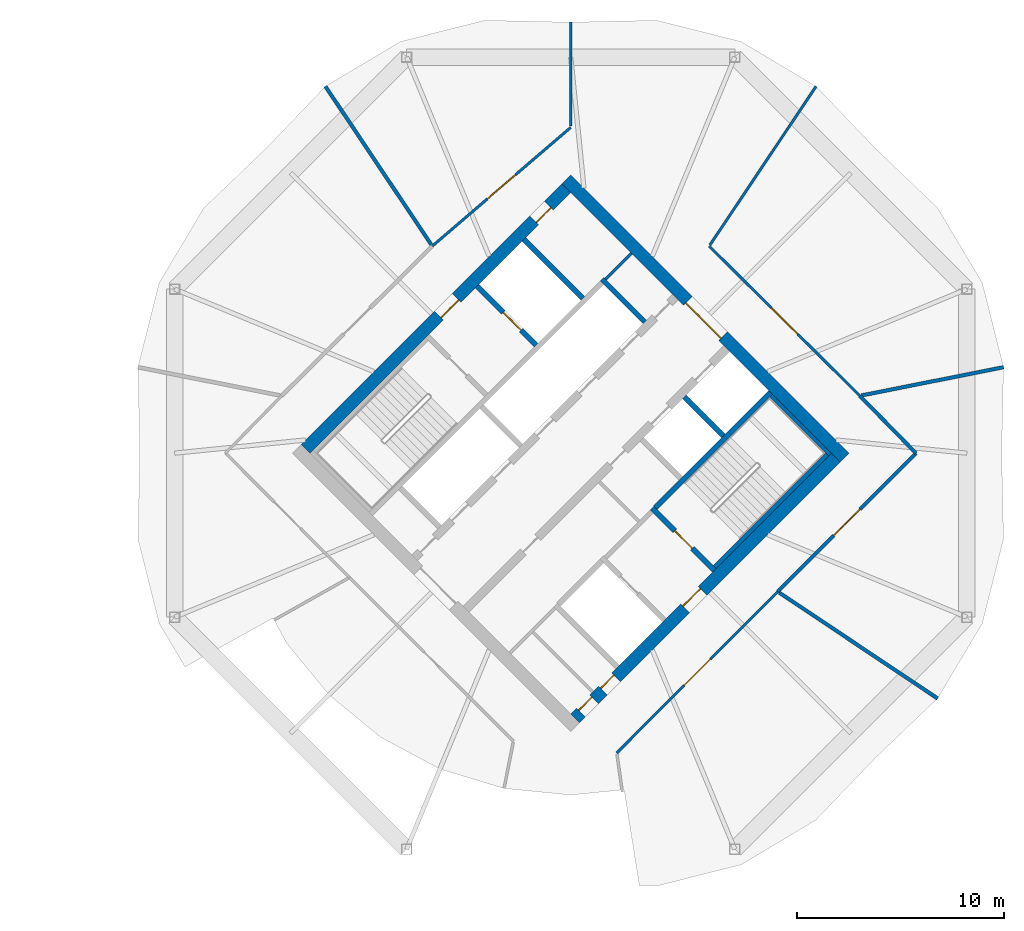
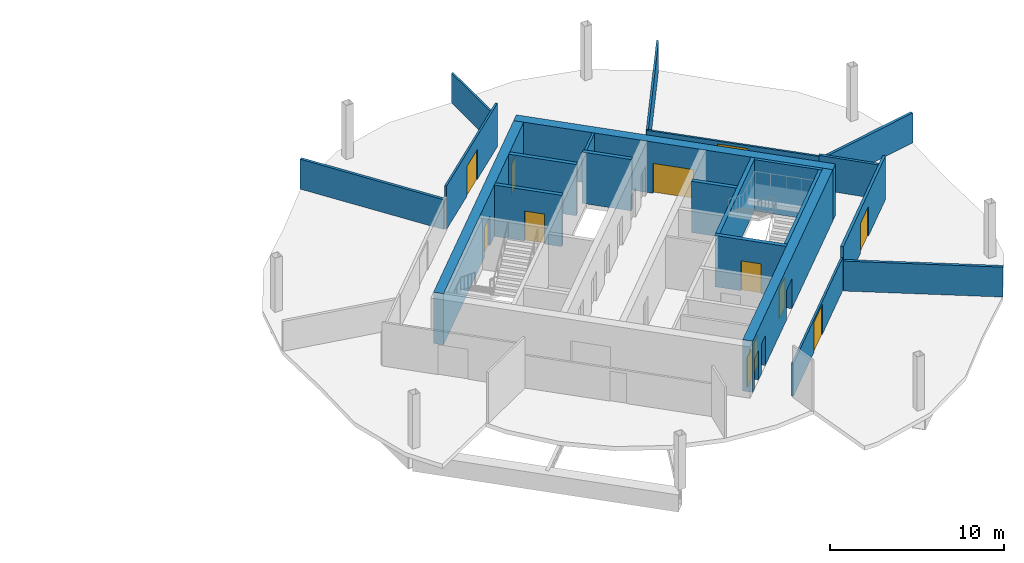
# One storey, part 8 of 10: 22 walls, 12 doors, 12 openings.
"""IFC4 building model written with IfcOpenShell, lengths in metres."""

from ifc_helpers import new_model, si_unit, direction, frame, frame_2d, origin, place, context, subcontext, project, spatial, rectangle, extrude, material, layer, layer_set, type_object, element, fill, save


model = new_model("IFC4")

# Units and contexts
model_context = context("Model", 3, precision=1e-05, world=origin(), true_north=direction((0.0, 1.0)))
body_context = subcontext(model_context, "Body", "Model", "MODEL_VIEW")
ifc_project = project(units=[si_unit("LENGTHUNIT", "METRE"), si_unit("AREAUNIT", "SQUARE_METRE"), si_unit("VOLUMEUNIT", "CUBIC_METRE"), si_unit("PLANEANGLEUNIT", "RADIAN"), si_unit("MASSUNIT", "GRAM", prefix="KILO")], contexts=[model_context])

# Site, building, storey
site_placement = place(None, origin())
site = spatial("IfcSite", under=ifc_project, at=site_placement, CompositionType="ELEMENT")
building_placement = place(site_placement, origin())
building = spatial("IfcBuilding", under=site, at=building_placement, Name="Ogive Gate Towers", CompositionType="ELEMENT")
storey_placement = place(building_placement, frame((0.0, 0.0, 212.39990234375)))
storey = spatial("IfcBuildingStorey", under=building, at=storey_placement, Name="L51", CompositionType="ELEMENT", Elevation=212.39990234375)

# Walls
ifc_material_1 = material(Name="Gypsum board acoustic partition")
ifc_layer_1 = layer(ifc_material_1, 0.175048828125)
ifc_layer_set_1 = layer_set([ifc_layer_1], Name="Acoustic partition 175")
wall_type_1 = type_object("IfcWallType", Name="Acoustic partition 175", PredefinedType="PARTITIONING", material=ifc_layer_set_1)
wall_1_placement = place(storey_placement, frame((56.891845703125, 4.147216796875, 0.0), z_axis=(0.0, 0.0, 1.0), x_axis=(-0.980860372201, -0.194712429613, 0.0)))
element("IfcWall", 1, at=wall_1_placement, inside=storey, type_object=wall_type_1, Name="Partition T2-L51-001", PredefinedType="PARTITIONING", context=body_context, shape_type="SweptSolid", body=[
    extrude(rectangle(XDim=6.991455078125, YDim=0.175048828125, at=frame_2d((3.49560546875, 0.0))), origin(), (0.0, 0.0, 1.0), 2.10009765625),
])
for number, where, z_axis, x_axis, name in (
    (2, (24.15966796875, 17.705078125, 0.0), (0.0, 0.0, 1.0), (0.555907142005, -0.831244398157, 0.0), "Partition T2-L51-004"),
    (3, (53.705078125, -11.84033203125, 0.0), (0.0, 0.0, 1.0), (-0.831244398157, 0.555907142005, 0.0), "Partition T2-L51-009"),
):
    element("IfcWall", number, at=place(storey_placement, frame(where, z_axis=z_axis, x_axis=x_axis)), inside=storey, type_object=wall_type_1, Name=name, PredefinedType="PARTITIONING", context=body_context, shape_type="SweptSolid", body=[
        extrude(rectangle(XDim=9.19140625, YDim=0.175048828125, at=frame_2d((4.595703125, 0.0))), origin(), (0.0, 0.0, 1.0), 2.10009765625),
    ])

# Wall, opening, door
wall_2_placement = place(storey_placement, frame((52.659423828125, 0.0, 0.0), z_axis=(0.0, 0.0, 1.0), x_axis=(-0.70631749194, -0.707895190391, 0.0)))
wall_2 = element("IfcWall", 4, at=wall_2_placement, inside=storey, type_object=wall_type_1, Name="Partition T2-L51-016", PredefinedType="PARTITIONING", context=body_context, shape_type="SweptSolid", body=[
    extrude(rectangle(XDim=9.439453125, YDim=0.175048828125, at=frame_2d((4.7197265625, 0.0))), origin(), (0.0, 0.0, 1.0), 3.050048828125),
])
opening_1_placement = place(wall_2_placement, frame((3.820068359375, 0.0, 0.0)))
opening_1 = element("IfcOpeningElement", 5, at=opening_1_placement, cuts=wall_2, Name="Opening T2-L51-D06", PredefinedType="OPENING", context=body_context, shape_type="SweptSolid", body=[
    extrude(rectangle(XDim=1.800048828125, YDim=2.10009765625, at=frame_2d((0.89990234375, 1.050048828125))), frame((0.0, 0.09765625, 0.0), z_axis=(0.0, -1.0, 0.0), x_axis=(1.0, 0.0, 0.0)), (0.0, 0.0, 1.0), 0.195068359375),
])
ifc_material_2 = material(Name="Timber door", Category="wood")
door_type_1 = type_object("IfcDoorType", Name="Door pair 1800", OperationType="NOTDEFINED", PredefinedType="DOOR", material=ifc_material_2)
door_1_placement = place(opening_1_placement, origin())
door_1 = element("IfcDoor", 6, at=door_1_placement, inside=storey, type_object=door_type_1, Name="Door T2-L51-D06", OperationType="DOUBLE_DOOR_DOUBLE_SWING", OverallHeight=2.10009765625, OverallWidth=1.800048828125, PredefinedType="DOOR", context=body_context, shape_type="SweptSolid", body=[
    extrude(rectangle(XDim=1.800048828125, YDim=2.10009765625, at=frame_2d((0.89990234375, 1.050048828125))), frame((0.0, 0.02490234375, 0.0), z_axis=(0.0, -1.0, 0.0), x_axis=(1.0, 0.0, 0.0)), (0.0, 0.0, 1.0), 0.050048828125),
])
fill(opening_1, door_1)

# Wall
wall_3_placement = place(storey_placement, frame((49.948486328125, 2.768798828125, 0.0), z_axis=(0.0, 0.0, 1.0), x_axis=(0.699601338328, -0.714533391389, 0.0)))
element("IfcWall", 7, at=wall_3_placement, inside=storey, type_object=wall_type_1, Name="Partition T2-L51-017", PredefinedType="PARTITIONING", context=body_context, shape_type="SweptSolid", body=[
    extrude(rectangle(XDim=3.875, YDim=0.175048828125, at=frame_2d((1.9375, 0.0))), origin(), (0.0, 0.0, 1.0), 2.400146484375),
])

# Wall, openings, doors
ifc_material_3 = material(Name="Concrete C60/75", Category="concrete")
ifc_layer_2 = layer(ifc_material_3, 0.60009765625)
ifc_layer_set_2 = layer_set([ifc_layer_2], Name="Core wall 600 mm")
wall_type_2 = type_object("IfcWallType", Name="Core wall 600 mm", PredefinedType="SHEAR", material=ifc_layer_set_2)
wall_4_placement = place(storey_placement, frame((36.212158203125, -12.798583984375, 0.0), z_axis=(0.0, 0.0, 1.0), x_axis=(0.707106781187, 0.707106781187, 0.0)))
wall_4 = element("IfcWall", 8, at=wall_4_placement, inside=storey, type_object=wall_type_2, Name="T2 L51 Core wall 600 mm", PredefinedType="SHEAR", context=body_context, shape_type="SweptSolid", body=[
    extrude(rectangle(XDim=17.7998046875, YDim=0.60009765625, at=frame_2d((8.89990234375, 0.0))), origin(), (0.0, 0.0, 1.0), 3.60009765625),
])
opening_2_placement = place(wall_4_placement, frame((7.5, 0.0, 0.0)))
opening_2 = element("IfcOpeningElement", 9, at=opening_2_placement, cuts=wall_4, Name="Opening KD-T2-L51-19", PredefinedType="OPENING", context=body_context, shape_type="SweptSolid", body=[
    extrude(rectangle(XDim=1.199951171875, YDim=2.10009765625, at=frame_2d((0.60009765625, 1.050048828125))), frame((0.0, 0.31005859375, 0.0), z_axis=(0.0, -1.0, 0.0), x_axis=(1.0, 0.0, 0.0)), (0.0, 0.0, 1.0), 0.6201171875),
])
opening_3_placement = place(wall_4_placement, frame((0.39990234375, 0.0, 0.0)))
opening_3 = element("IfcOpeningElement", 10, at=opening_3_placement, cuts=wall_4, Name="Opening KD-T2-L51-21", PredefinedType="OPENING", context=body_context, shape_type="SweptSolid", body=[
    extrude(rectangle(XDim=0.89990234375, YDim=2.10009765625, at=frame_2d((0.449951171875, 1.050048828125))), frame((0.0, 0.31005859375, 0.0), z_axis=(0.0, -1.0, 0.0), x_axis=(1.0, 0.0, 0.0)), (0.0, 0.0, 1.0), 0.6201171875),
])
opening_4_placement = place(wall_4_placement, frame((1.89990234375, 0.0, 0.0)))
opening_4 = element("IfcOpeningElement", 11, at=opening_4_placement, cuts=wall_4, Name="Opening KD-T2-L51-22", PredefinedType="OPENING", context=body_context, shape_type="SweptSolid", body=[
    extrude(rectangle(XDim=0.89990234375, YDim=2.10009765625, at=frame_2d((0.449951171875, 1.050048828125))), frame((0.0, 0.31005859375, 0.0), z_axis=(0.0, -1.0, 0.0), x_axis=(1.0, 0.0, 0.0)), (0.0, 0.0, 1.0), 0.6201171875),
])
door_type_2 = type_object("IfcDoorType", Name="Core WC door 900 x 2100", OperationType="NOTDEFINED", PredefinedType="DOOR", material=ifc_material_2)
door_2_placement = place(opening_3_placement, origin())
door_2 = element("IfcDoor", 12, at=door_2_placement, inside=storey, type_object=door_type_2, Name="T2 L51 Core door", OperationType="SINGLE_SWING_RIGHT", OverallHeight=2.10009765625, OverallWidth=0.89990234375, PredefinedType="DOOR", context=body_context, shape_type="SweptSolid", body=[
    extrude(rectangle(XDim=0.89990234375, YDim=2.10009765625, at=frame_2d((0.449951171875, 1.050048828125))), frame((0.0, 0.1748046875, 0.0), z_axis=(0.0, -1.0, 0.0), x_axis=(1.0, 0.0, 0.0)), (0.0, 0.0, 1.0), 0.050048828125),
])
fill(opening_3, door_2)
door_3_placement = place(opening_4_placement, origin())
door_3 = element("IfcDoor", 13, at=door_3_placement, inside=storey, type_object=door_type_2, Name="T2 L51 Core door", OperationType="SINGLE_SWING_LEFT", OverallHeight=2.10009765625, OverallWidth=0.89990234375, PredefinedType="DOOR", context=body_context, shape_type="SweptSolid", body=[
    extrude(rectangle(XDim=0.89990234375, YDim=2.10009765625, at=frame_2d((0.449951171875, 1.050048828125))), frame((0.0, 0.1748046875, 0.0), z_axis=(0.0, -1.0, 0.0), x_axis=(1.0, 0.0, 0.0)), (0.0, 0.0, 1.0), 0.050048828125),
])
fill(opening_4, door_3)
ifc_material_4 = material(Name="Steel fire door", Category="steel")
door_type_3 = type_object("IfcDoorType", Name="Core door FD60S 1200 x 2100", OperationType="NOTDEFINED", PredefinedType="DOOR", material=ifc_material_4)
door_4_placement = place(opening_2_placement, origin())
door_4 = element("IfcDoor", 14, at=door_4_placement, inside=storey, type_object=door_type_3, Name="T2 L51 Fire-fighting lobby door", OperationType="SINGLE_SWING_RIGHT", OverallHeight=2.10009765625, OverallWidth=1.199951171875, PredefinedType="DOOR", context=body_context, shape_type="SweptSolid", body=[
    extrude(rectangle(XDim=1.199951171875, YDim=2.10009765625, at=frame_2d((0.60009765625, 1.050048828125))), frame((0.0, 0.1748046875, 0.0), z_axis=(0.0, -1.0, 0.0), x_axis=(1.0, 0.0, 0.0)), (0.0, 0.0, 1.0), 0.050048828125),
])
fill(opening_2, door_4)

wall_5_placement = place(storey_placement, frame((23.201416015625, 0.212158203125, 0.0), z_axis=(0.0, 0.0, 1.0), x_axis=(0.707106781187, 0.707106781187, 0.0)))
wall_5 = element("IfcWall", 15, at=wall_5_placement, inside=storey, type_object=wall_type_2, Name="T2 L51 Core wall 600 mm", PredefinedType="SHEAR", context=body_context, shape_type="SweptSolid", body=[
    extrude(rectangle(XDim=17.7998046875, YDim=0.60009765625, at=frame_2d((8.89990234375, 0.0))), origin(), (0.0, 0.0, 1.0), 3.60009765625),
])
opening_5_placement = place(wall_5_placement, frame((9.10009765625, 0.0, 0.0)))
opening_5 = element("IfcOpeningElement", 16, at=opening_5_placement, cuts=wall_5, Name="Opening KD-T2-L51-18", PredefinedType="OPENING", context=body_context, shape_type="SweptSolid", body=[
    extrude(rectangle(XDim=1.199951171875, YDim=2.10009765625, at=frame_2d((0.60009765625, 1.050048828125))), frame((0.0, 0.31005859375, 0.0), z_axis=(0.0, -1.0, 0.0), x_axis=(1.0, 0.0, 0.0)), (0.0, 0.0, 1.0), 0.6201171875),
])
opening_6_placement = place(wall_5_placement, frame((15.60009765625, 0.0, 0.0)))
opening_6 = element("IfcOpeningElement", 17, at=opening_6_placement, cuts=wall_5, Name="Opening KD-T2-L51-20", PredefinedType="OPENING", context=body_context, shape_type="SweptSolid", body=[
    extrude(rectangle(XDim=1.0, YDim=2.10009765625, at=frame_2d((0.5, 1.050048828125))), frame((0.0, 0.31005859375, 0.0), z_axis=(0.0, -1.0, 0.0), x_axis=(1.0, 0.0, 0.0)), (0.0, 0.0, 1.0), 0.6201171875),
])
door_type_4 = type_object("IfcDoorType", Name="Accessible WC door 1000 x 2100", OperationType="NOTDEFINED", PredefinedType="DOOR", material=ifc_material_2)
door_5_placement = place(opening_6_placement, origin())
door_5 = element("IfcDoor", 18, at=door_5_placement, inside=storey, type_object=door_type_4, Name="T2 L51 Core door", OperationType="SINGLE_SWING_LEFT", OverallHeight=2.10009765625, OverallWidth=1.0, PredefinedType="DOOR", context=body_context, shape_type="SweptSolid", body=[
    extrude(rectangle(XDim=1.0, YDim=2.10009765625, at=frame_2d((0.5, 1.050048828125))), frame((0.0, -0.125, 0.0), z_axis=(0.0, -1.0, 0.0), x_axis=(1.0, 0.0, 0.0)), (0.0, 0.0, 1.0), 0.050048828125),
])
fill(opening_6, door_5)
door_6_placement = place(opening_5_placement, origin())
door_6 = element("IfcDoor", 19, at=door_6_placement, inside=storey, type_object=door_type_3, Name="T2 L51 Fire-fighting lobby door", OperationType="SINGLE_SWING_LEFT", OverallHeight=2.10009765625, OverallWidth=1.199951171875, PredefinedType="DOOR", context=body_context, shape_type="SweptSolid", body=[
    extrude(rectangle(XDim=1.199951171875, YDim=2.10009765625, at=frame_2d((0.60009765625, 1.050048828125))), frame((0.0, -0.125, 0.0), z_axis=(0.0, -1.0, 0.0), x_axis=(1.0, 0.0, 0.0)), (0.0, 0.0, 1.0), 0.050048828125),
])
fill(opening_5, door_6)

# Wall, opening, door
wall_6_placement = place(storey_placement, frame((49.222900390625, -0.212158203125, 0.0), z_axis=(0.0, 0.0, 1.0), x_axis=(-0.707106781187, 0.707106781187, 0.0)))
wall_6 = element("IfcWall", 20, at=wall_6_placement, inside=storey, type_object=wall_type_2, Name="T2 L51 Core wall 600 mm", PredefinedType="SHEAR", context=body_context, shape_type="SweptSolid", body=[
    extrude(rectangle(XDim=19.0, YDim=0.60009765625, at=frame_2d((9.5, 0.0))), origin(), (0.0, 0.0, 1.0), 3.60009765625),
])
opening_7_placement = place(wall_6_placement, frame((8.300048828125, 0.0, 0.0)))
opening_7 = element("IfcOpeningElement", 21, at=opening_7_placement, cuts=wall_6, Name="Opening KD-T2-L51-02", PredefinedType="OPENING", context=body_context, shape_type="SweptSolid", body=[
    extrude(rectangle(XDim=2.39990234375, YDim=2.10009765625, at=frame_2d((1.199951171875, 1.050048828125))), frame((0.0, 0.31005859375, 0.0), z_axis=(0.0, -1.0, 0.0), x_axis=(1.0, 0.0, 0.0)), (0.0, 0.0, 1.0), 0.6201171875),
])
door_type_5 = type_object("IfcDoorType", Name="Core double door FD60S 2400 x 2100", OperationType="DOUBLE_DOOR_SINGLE_SWING", PredefinedType="DOOR", material=ifc_material_4)
door_7_placement = place(opening_7_placement, origin())
door_7 = element("IfcDoor", 22, at=door_7_placement, inside=storey, type_object=door_type_5, Name="T2 L51 Core door double", OperationType="DOUBLE_DOOR_SINGLE_SWING", OverallHeight=2.10009765625, OverallWidth=2.39990234375, PredefinedType="DOOR", context=body_context, shape_type="SweptSolid", body=[
    extrude(rectangle(XDim=2.39990234375, YDim=2.10009765625, at=frame_2d((1.199951171875, 1.050048828125))), frame((0.0, 0.1748046875, 0.0), z_axis=(0.0, -1.0, 0.0), x_axis=(1.0, 0.0, 0.0)), (0.0, 0.0, 1.0), 0.050048828125),
])
fill(opening_7, door_7)

# Walls
ifc_material_5 = material(Name="Gypsum board partition")
ifc_layer_3 = layer(ifc_material_5, 0.125)
ifc_layer_set_3 = layer_set([ifc_layer_3], Name="Partition 125")
wall_type_3 = type_object("IfcWallType", Name="Partition 125", PredefinedType="PARTITIONING", material=ifc_layer_set_3)
wall_7_placement = place(storey_placement, frame((47.84033203125, 17.705078125, 0.0), z_axis=(0.0, 0.0, 1.0), x_axis=(-0.555909978608, -0.83124250113, 0.0)))
element("IfcWall", 23, at=wall_7_placement, inside=storey, type_object=wall_type_3, Name="Partition T2-L51-002", PredefinedType="PARTITIONING", context=body_context, shape_type="SweptSolid", body=[
    extrude(rectangle(XDim=9.216552734375, YDim=0.125, at=frame_2d((4.6083984375, 0.0))), origin(), (0.0, 0.0, 1.0), 2.10009765625),
])
wall_8_placement = place(storey_placement, frame((36.0, 20.799072265625, 0.0), z_axis=(0.0, 0.0, 1.0), x_axis=(0.0, -1.0, 0.0)))
element("IfcWall", 24, at=wall_8_placement, inside=storey, type_object=wall_type_3, Name="Partition T2-L51-003", PredefinedType="PARTITIONING", context=body_context, shape_type="SweptSolid", body=[
    extrude(rectangle(XDim=5.0166015625, YDim=0.125, at=frame_2d((2.50830078125, 0.0))), origin(), (0.0, 0.0, 1.0), 2.10009765625),
])

# Wall, opening, door
wall_9_placement = place(storey_placement, frame((29.31787109375, 9.9921875, 0.0), z_axis=(0.0, 0.0, 1.0), x_axis=(0.75924289539, 0.650807364587, 0.0)))
wall_9 = element("IfcWall", 25, at=wall_9_placement, inside=storey, type_object=wall_type_3, Name="Partition T2-L51-014", PredefinedType="PARTITIONING", context=body_context, shape_type="SweptSolid", body=[
    extrude(rectangle(XDim=8.801025390625, YDim=0.125, at=frame_2d((4.400390625, 0.0))), origin(), (0.0, 0.0, 1.0), 3.050048828125),
])
opening_8_placement = place(wall_9_placement, frame((3.5009765625, 0.0, 0.0)))
opening_8 = element("IfcOpeningElement", 26, at=opening_8_placement, cuts=wall_9, Name="Opening T2-L51-D04", PredefinedType="OPENING", context=body_context, shape_type="SweptSolid", body=[
    extrude(rectangle(XDim=1.800048828125, YDim=2.10009765625, at=frame_2d((0.89990234375, 1.050048828125))), frame((0.0, 0.072509765625, 0.0), z_axis=(0.0, -1.0, 0.0), x_axis=(1.0, 0.0, 0.0)), (0.0, 0.0, 1.0), 0.14501953125),
])
door_8_placement = place(opening_8_placement, origin())
door_8 = element("IfcDoor", 27, at=door_8_placement, inside=storey, type_object=door_type_1, Name="Door T2-L51-D04", OperationType="DOUBLE_DOOR_DOUBLE_SWING", OverallHeight=2.10009765625, OverallWidth=1.800048828125, PredefinedType="DOOR", context=body_context, shape_type="SweptSolid", body=[
    extrude(rectangle(XDim=1.800048828125, YDim=2.10009765625, at=frame_2d((0.89990234375, 1.050048828125))), frame((0.0, 0.02490234375, 0.0), z_axis=(0.0, -1.0, 0.0), x_axis=(1.0, 0.0, 0.0)), (0.0, 0.0, 1.0), 0.050048828125),
])
fill(opening_8, door_8)

wall_10_placement = place(storey_placement, frame((42.68212890625, 9.9921875, 0.0), z_axis=(0.0, 0.0, 1.0), x_axis=(0.709200559125, -0.705006785029, 0.0)))
wall_10 = element("IfcWall", 28, at=wall_10_placement, inside=storey, type_object=wall_type_3, Name="Partition T2-L51-015", PredefinedType="PARTITIONING", context=body_context, shape_type="SweptSolid", body=[
    extrude(rectangle(XDim=10.245849609375, YDim=0.125, at=frame_2d((5.123046875, 0.0))), origin(), (0.0, 0.0, 1.0), 2.300048828125),
])
opening_9_placement = place(wall_10_placement, frame((4.222900390625, 0.0, 0.0)))
opening_9 = element("IfcOpeningElement", 29, at=opening_9_placement, cuts=wall_10, Name="Opening T2-L51-D05", PredefinedType="OPENING", context=body_context, shape_type="SweptSolid", body=[
    extrude(rectangle(XDim=1.800048828125, YDim=2.10009765625, at=frame_2d((0.89990234375, 1.050048828125))), frame((0.0, 0.072509765625, 0.0), z_axis=(0.0, -1.0, 0.0), x_axis=(1.0, 0.0, 0.0)), (0.0, 0.0, 1.0), 0.14501953125),
])
door_9_placement = place(opening_9_placement, origin())
door_9 = element("IfcDoor", 30, at=door_9_placement, inside=storey, type_object=door_type_1, Name="Door T2-L51-D05", OperationType="DOUBLE_DOOR_DOUBLE_SWING", OverallHeight=2.10009765625, OverallWidth=1.800048828125, PredefinedType="DOOR", context=body_context, shape_type="SweptSolid", body=[
    extrude(rectangle(XDim=1.800048828125, YDim=2.10009765625, at=frame_2d((0.89990234375, 1.050048828125))), frame((0.0, 0.02490234375, 0.0), z_axis=(0.0, -1.0, 0.0), x_axis=(1.0, 0.0, 0.0)), (0.0, 0.0, 1.0), 0.050048828125),
])
fill(opening_9, door_9)

wall_11_placement = place(storey_placement, frame((45.9921875, -6.68212890625, 0.0), z_axis=(0.0, 0.0, 1.0), x_axis=(-0.706485012559, -0.707728003564, 0.0)))
wall_11 = element("IfcWall", 31, at=wall_11_placement, inside=storey, type_object=wall_type_3, Name="Partition T2-L51-018", PredefinedType="PARTITIONING", context=body_context, shape_type="SweptSolid", body=[
    extrude(rectangle(XDim=10.999267578125, YDim=0.125, at=frame_2d((5.49951171875, 0.0))), origin(), (0.0, 0.0, 1.0), 2.300048828125),
])
opening_10_placement = place(wall_11_placement, frame((4.60009765625, 0.0, 0.0)))
opening_10 = element("IfcOpeningElement", 32, at=opening_10_placement, cuts=wall_11, Name="Opening T2-L51-D07", PredefinedType="OPENING", context=body_context, shape_type="SweptSolid", body=[
    extrude(rectangle(XDim=1.800048828125, YDim=2.10009765625, at=frame_2d((0.89990234375, 1.050048828125))), frame((0.0, 0.072509765625, 0.0), z_axis=(0.0, -1.0, 0.0), x_axis=(1.0, 0.0, 0.0)), (0.0, 0.0, 1.0), 0.14501953125),
])
door_10_placement = place(opening_10_placement, origin())
door_10 = element("IfcDoor", 33, at=door_10_placement, inside=storey, type_object=door_type_1, Name="Door T2-L51-D07", OperationType="DOUBLE_DOOR_DOUBLE_SWING", OverallHeight=2.10009765625, OverallWidth=1.800048828125, PredefinedType="DOOR", context=body_context, shape_type="SweptSolid", body=[
    extrude(rectangle(XDim=1.800048828125, YDim=2.10009765625, at=frame_2d((0.89990234375, 1.050048828125))), frame((0.0, 0.02490234375, 0.0), z_axis=(0.0, -1.0, 0.0), x_axis=(1.0, 0.0, 0.0)), (0.0, 0.0, 1.0), 0.050048828125),
])
fill(opening_10, door_10)

# Walls
ifc_layer_4 = layer(ifc_material_5, 0.14990234375)
ifc_layer_set_4 = layer_set([ifc_layer_4], Name="Room partition 150 mm")
wall_type_4 = type_object("IfcWallType", Name="Room partition 150 mm", PredefinedType="PARTITIONING", material=ifc_layer_set_4)
wall_12_placement = place(storey_placement, frame((37.679443359375, 8.39697265625, 0.0), z_axis=(0.0, 0.0, 1.0), x_axis=(0.707106781187, 0.707106781187, 0.0)))
element("IfcWall", 34, at=wall_12_placement, inside=storey, type_object=wall_type_4, Name="T2 L51 Room partition 150 mm", PredefinedType="PARTITIONING", context=body_context, shape_type="SweptSolid", body=[
    extrude(rectangle(XDim=1.77490234375, YDim=0.14990234375, at=frame_2d((0.887451171875, 0.0))), origin(), (0.0, 0.0, 1.0), 3.60009765625),
])
ifc_layer_5 = layer(ifc_material_3, 0.25)
ifc_layer_set_5 = layer_set([ifc_layer_5], Name="Shaft wall 250 mm")
wall_type_5 = type_object("IfcWallType", Name="Shaft wall 250 mm", PredefinedType="SHEAR", material=ifc_layer_set_5)
wall_13_placement = place(storey_placement, frame((40.08349609375, -2.634033203125, 0.0), z_axis=(0.0, 0.0, 1.0), x_axis=(0.707106781187, 0.707106781187, 0.0)))
element("IfcWall", 35, at=wall_13_placement, inside=storey, type_object=wall_type_5, Name="T2 L51 Shaft wall 250 mm", PredefinedType="SHEAR", context=body_context, shape_type="SweptSolid", body=[
    extrude(rectangle(XDim=7.875244140625, YDim=0.25, at=frame_2d((3.9375, 0.0))), origin(), (0.0, 0.0, 1.0), 3.60009765625),
])

# Wall, opening, door
wall_14_placement = place(storey_placement, frame((42.9296875, -5.656982421875, 0.0), z_axis=(0.0, 0.0, 1.0), x_axis=(-0.707106781187, 0.707106781187, 0.0)))
wall_14 = element("IfcWall", 36, at=wall_14_placement, inside=storey, type_object=wall_type_5, Name="T2 L51 Shaft wall 250 mm", PredefinedType="SHEAR", context=body_context, shape_type="SweptSolid", body=[
    extrude(rectangle(XDim=4.250244140625, YDim=0.25, at=frame_2d((2.125, 0.0))), origin(), (0.0, 0.0, 1.0), 3.60009765625),
])
opening_11_placement = place(wall_14_placement, frame((1.5, 0.0, 0.0)))
opening_11 = element("IfcOpeningElement", 37, at=opening_11_placement, cuts=wall_14, Name="Opening KD-T2-L51-17", PredefinedType="OPENING", context=body_context, shape_type="SweptSolid", body=[
    extrude(rectangle(XDim=1.199951171875, YDim=2.10009765625, at=frame_2d((0.60009765625, 1.050048828125))), frame((0.0, 0.135009765625, 0.0), z_axis=(0.0, -1.0, 0.0), x_axis=(1.0, 0.0, 0.0)), (0.0, 0.0, 1.0), 0.27001953125),
])
door_11_placement = place(opening_11_placement, origin())
door_11 = element("IfcDoor", 38, at=door_11_placement, inside=storey, type_object=door_type_3, Name="T2 L51 Stair door", OperationType="SINGLE_SWING_RIGHT", OverallHeight=2.10009765625, OverallWidth=1.199951171875, PredefinedType="DOOR", context=body_context, shape_type="SweptSolid", body=[
    extrude(rectangle(XDim=1.199951171875, YDim=2.10009765625, at=frame_2d((0.60009765625, 1.050048828125))), frame((0.0, 0.02490234375, 0.0), z_axis=(0.0, -1.0, 0.0), x_axis=(1.0, 0.0, 0.0)), (0.0, 0.0, 1.0), 0.050048828125),
])
fill(opening_11, door_11)

wall_15_placement = place(storey_placement, frame((34.320556640625, 5.21484375, 0.0), z_axis=(0.0, 0.0, 1.0), x_axis=(-0.70707645213, 0.707137108942, 0.0)))
wall_15 = element("IfcWall", 39, at=wall_15_placement, inside=storey, type_object=wall_type_5, Name="T2 L51 Shaft wall 250 mm", PredefinedType="SHEAR", context=body_context, shape_type="SweptSolid", body=[
    extrude(rectangle(XDim=4.02490234375, YDim=0.25, at=frame_2d((2.012451171875, 0.0))), origin(), (0.0, 0.0, 1.0), 3.60009765625),
])
opening_12_placement = place(wall_15_placement, frame((1.02490234375, 0.0, 0.0)))
opening_12 = element("IfcOpeningElement", 40, at=opening_12_placement, cuts=wall_15, Name="Opening LD-T2-L51-12", PredefinedType="OPENING", context=body_context, shape_type="SweptSolid", body=[
    extrude(rectangle(XDim=1.199951171875, YDim=2.10009765625, at=frame_2d((0.60009765625, 1.050048828125))), frame((0.0, 0.135009765625, 0.0), z_axis=(0.0, -1.0, 0.0), x_axis=(1.0, 0.0, 0.0)), (0.0, 0.0, 1.0), 0.27001953125),
])
ifc_material_6 = material(Name="Stainless steel landing door", Category="steel")
door_type_6 = type_object("IfcDoorType", Name="Landing door 1200 x 2100", OperationType="SLIDING_TO_LEFT", PredefinedType="DOOR", material=ifc_material_6)
door_12_placement = place(opening_12_placement, origin())
door_12 = element("IfcDoor", 41, at=door_12_placement, inside=storey, type_object=door_type_6, Name="T2 L51 Lift landing door FF1", OperationType="SLIDING_TO_LEFT", OverallHeight=2.10009765625, OverallWidth=1.199951171875, PredefinedType="DOOR", context=body_context, shape_type="SweptSolid", body=[
    extrude(rectangle(XDim=1.199951171875, YDim=2.10009765625, at=frame_2d((0.60009765625, 1.050048828125))), frame((0.0, 0.02490234375, 0.0), z_axis=(0.0, -1.0, 0.0), x_axis=(1.0, 0.0, 0.0)), (0.0, 0.0, 1.0), 0.050048828125),
])
fill(opening_12, door_12)

# Walls
wall_16_placement = place(storey_placement, frame((36.58349609375, 7.477783203125, 0.0), z_axis=(0.0, 0.0, 1.0), x_axis=(-0.707137108942, 0.70707645213, 0.0)))
element("IfcWall", 42, at=wall_16_placement, inside=storey, type_object=wall_type_5, Name="T2 L51 Shaft wall 250 mm", PredefinedType="SHEAR", context=body_context, shape_type="SweptSolid", body=[
    extrude(rectangle(XDim=4.02490234375, YDim=0.25, at=frame_2d((2.012451171875, 0.0))), origin(), (0.0, 0.0, 1.0), 3.60009765625),
])
wall_17_placement = place(storey_placement, frame((43.37158203125, 0.830810546875, 0.0), z_axis=(0.0, 0.0, 1.0), x_axis=(-0.707106781187, 0.707106781187, 0.0)))
element("IfcWall", 43, at=wall_17_placement, inside=storey, type_object=wall_type_5, Name="T2 L51 Shaft wall 250 mm", PredefinedType="SHEAR", context=body_context, shape_type="SweptSolid", body=[
    extrude(rectangle(XDim=2.675048828125, YDim=0.25, at=frame_2d((1.33740234375, 0.0))), origin(), (0.0, 0.0, 1.0), 3.60009765625),
])
wall_18_placement = place(storey_placement, frame((39.57080078125, 6.32861328125, 0.0), z_axis=(0.0, 0.0, 1.0), x_axis=(-0.707065045505, 0.707148514405, 0.0)))
element("IfcWall", 44, at=wall_18_placement, inside=storey, type_object=wall_type_5, Name="T2 L51 Shaft wall 250 mm", PredefinedType="SHEAR", context=body_context, shape_type="SweptSolid", body=[
    extrude(rectangle(XDim=2.925048828125, YDim=0.25, at=frame_2d((1.46240234375, 0.0))), origin(), (0.0, 0.0, 1.0), 3.60009765625),
])
ifc_layer_6 = layer(ifc_material_3, 0.199951171875)
ifc_layer_set_6 = layer_set([ifc_layer_6], Name="Stair wall 200 mm")
wall_type_6 = type_object("IfcWallType", Name="Stair wall 200 mm", PredefinedType="SHEAR", material=ifc_layer_set_6)
wall_19_placement = place(storey_placement, frame((42.947265625, -5.497802734375, 0.0), z_axis=(0.0, 0.0, 1.0), x_axis=(0.707122685701, 0.707090876314, 0.0)))
element("IfcWall", 45, at=wall_19_placement, inside=storey, type_object=wall_type_6, Name="T2 L51 Stair wall 200 mm", PredefinedType="SHEAR", context=body_context, shape_type="SweptSolid", body=[
    extrude(rectangle(XDim=7.675048828125, YDim=0.199951171875, at=frame_2d((3.83740234375, 0.0))), origin(), (0.0, 0.0, 1.0), 3.60009765625),
])
wall_20_placement = place(storey_placement, frame((48.515869140625, -0.07080078125, 0.0), z_axis=(0.0, 0.0, 1.0), x_axis=(-0.707106781187, 0.707106781187, 0.0)))
element("IfcWall", 46, at=wall_20_placement, inside=storey, type_object=wall_type_6, Name="T2 L51 Stair wall 200 mm", PredefinedType="SHEAR", context=body_context, shape_type="SweptSolid", body=[
    extrude(rectangle(XDim=4.025146484375, YDim=0.199951171875, at=frame_2d((2.0126953125, 0.0))), origin(), (0.0, 0.0, 1.0), 3.60009765625),
])

save(model, "model.ifc")
